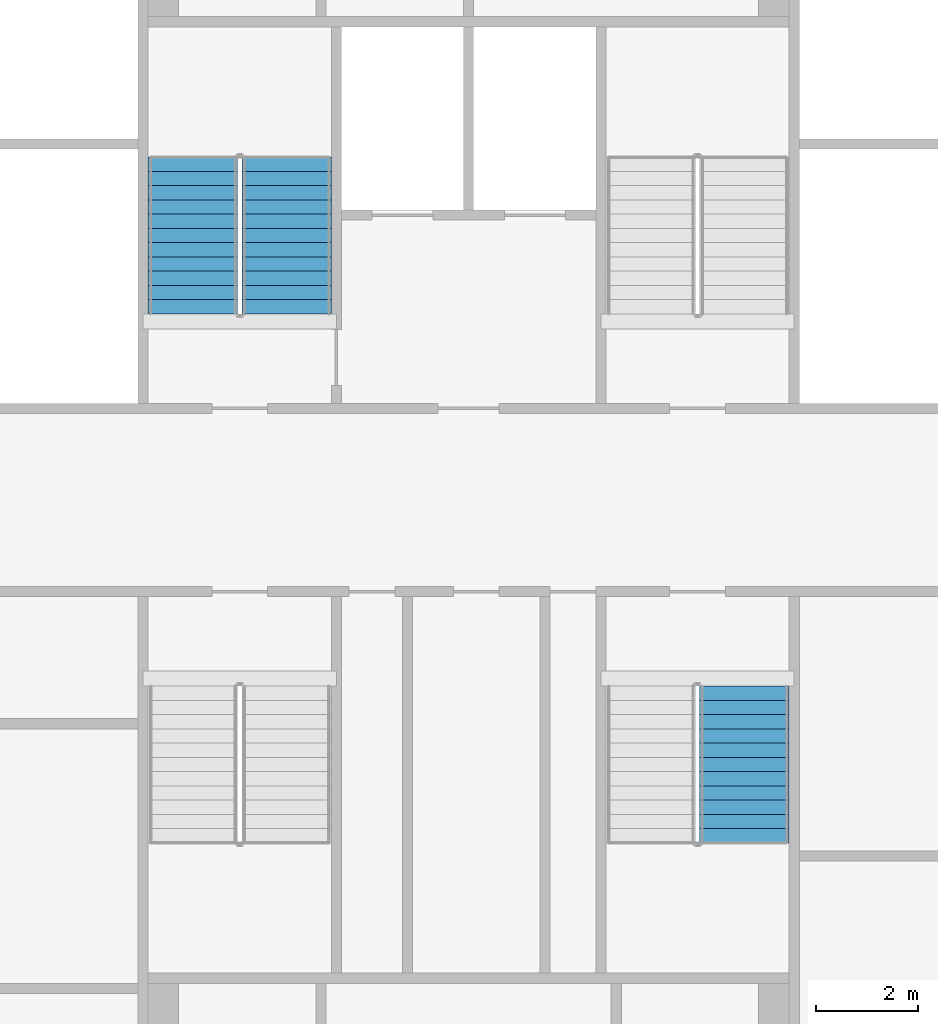
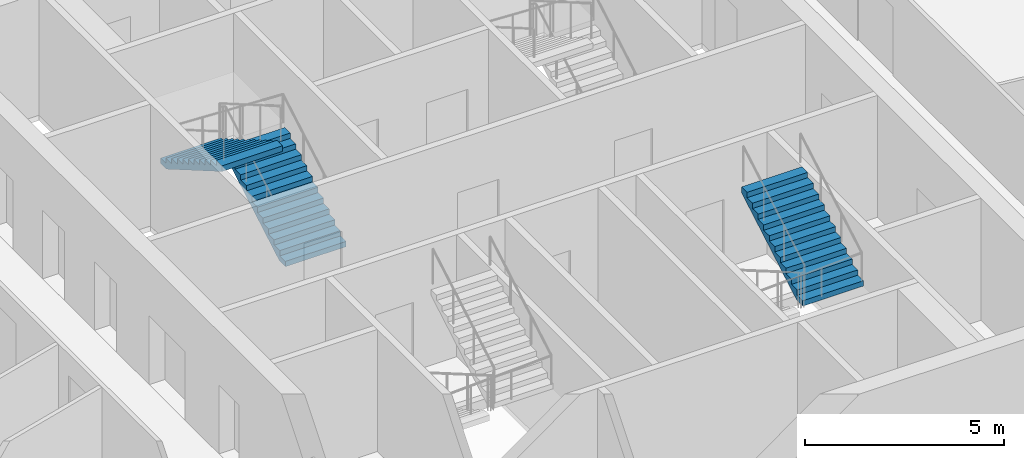
# One storey, part 15 of 21: 3 stair flights, 2 elements without a shape of their own.
"""IFC4 building model written with IfcOpenShell, lengths in metres."""

from ifc_helpers import new_model, si_unit, direction, frame, origin, place, context, subcontext, project, spatial, faceted_brep, material, type_object, element, aggregate, save


model = new_model("IFC4")

# Units and contexts
model_context = context("Model", 3, precision=1e-05, world=origin(), true_north=direction((0.0, 1.0)))
body_context = subcontext(model_context, "Body", "Model", "MODEL_VIEW")
ifc_project = project(units=[si_unit("LENGTHUNIT", "METRE"), si_unit("AREAUNIT", "SQUARE_METRE"), si_unit("VOLUMEUNIT", "CUBIC_METRE"), si_unit("PLANEANGLEUNIT", "RADIAN"), si_unit("MASSUNIT", "GRAM", prefix="KILO")], contexts=[model_context])

# Site, building, storey
site_placement = place(None, origin())
site = spatial("IfcSite", under=ifc_project, at=site_placement, CompositionType="ELEMENT")
building_placement = place(site_placement, origin())
building = spatial("IfcBuilding", under=site, at=building_placement, Name="Tarsis Ring Headquarters", CompositionType="ELEMENT")
storey_placement = place(building_placement, frame((0.0, 0.0, 347.0)))
storey = spatial("IfcBuildingStorey", under=building, at=storey_placement, Name="L82", CompositionType="ELEMENT", Elevation=347.0)

# Stair, stair flights
ifc_material_1 = material(Name="Core stair 1760")
stair_type = type_object("IfcStairType", Name="Core stair 1760", PredefinedType="HALF_TURN_STAIR", material=ifc_material_1)
stair_1_placement = place(storey_placement, origin())
stair_1 = element("IfcStair", 1, at=stair_1_placement, inside=storey, type_object=stair_type, Name="L82 Firefighting stair", PredefinedType="HALF_TURN_STAIR")
ifc_material_2 = material(Name="Concrete C40/50", Category="concrete")
stair_flight_type = type_object("IfcStairFlightType", Name="Core stair flight 1760", PredefinedType="STRAIGHT", material=ifc_material_2)
stair_flight_1_placement = place(storey_placement, frame((-3.580078125, 3.659912109375, 0.0), z_axis=(0.0, 0.0, 1.0), x_axis=(0.0, 1.0, 0.0)))
stair_flight_1 = element("IfcStairFlight", 2, at=stair_flight_1_placement, type_object=stair_flight_type, Name="Stair ST1 flight 1", NumberOfRisers=12, NumberOfTreads=11, PredefinedType="STRAIGHT", RiserHeight=0.1625, TreadLength=0.28, context=body_context, shape_type="Brep", body=[
    faceted_brep([(0.0, 0.8798828125, 0.0), (0.0, 0.8798828125, 0.16259765625), (0.280029296875, 0.8798828125, 0.16259765625), (0.280029296875, 0.8798828125, 0.324951171875), (0.56005859375, 0.8798828125, 0.324951171875), (0.56005859375, 0.8798828125, 0.487548828125), (0.840087890625, 0.8798828125, 0.487548828125), (0.840087890625, 0.8798828125, 0.64990234375), (1.1201171875, 0.8798828125, 0.64990234375), (1.1201171875, 0.8798828125, 0.8125), (1.39990234375, 0.8798828125, 0.8125), (1.39990234375, 0.8798828125, 0.97509765625), (1.679931640625, 0.8798828125, 0.97509765625), (1.679931640625, 0.8798828125, 1.137451171875), (1.9599609375, 0.8798828125, 1.137451171875), (1.9599609375, 0.8798828125, 1.300048828125), (2.239990234375, 0.8798828125, 1.300048828125), (2.239990234375, 0.8798828125, 1.46240234375), (2.52001953125, 0.8798828125, 1.46240234375), (2.52001953125, 0.8798828125, 1.625), (2.800048828125, 0.8798828125, 1.625), (2.800048828125, 0.8798828125, 1.78759765625), (3.080078125, 0.8798828125, 1.78759765625), (3.080078125, 0.8798828125, 1.6142578125), (0.298583984375, 0.8798828125, 0.0), (0.298583984375, -0.8798828125, 0.0), (3.080078125, -0.8798828125, 1.6142578125), (3.080078125, -0.8798828125, 1.78759765625), (2.800048828125, -0.8798828125, 1.78759765625), (2.800048828125, -0.8798828125, 1.625), (2.52001953125, -0.8798828125, 1.625), (2.52001953125, -0.8798828125, 1.46240234375), (2.239990234375, -0.8798828125, 1.46240234375), (2.239990234375, -0.8798828125, 1.300048828125), (1.9599609375, -0.8798828125, 1.300048828125), (1.9599609375, -0.8798828125, 1.137451171875), (1.679931640625, -0.8798828125, 1.137451171875), (1.679931640625, -0.8798828125, 0.97509765625), (1.39990234375, -0.8798828125, 0.97509765625), (1.39990234375, -0.8798828125, 0.8125), (1.1201171875, -0.8798828125, 0.8125), (1.1201171875, -0.8798828125, 0.64990234375), (0.840087890625, -0.8798828125, 0.64990234375), (0.840087890625, -0.8798828125, 0.487548828125), (0.56005859375, -0.8798828125, 0.487548828125), (0.56005859375, -0.8798828125, 0.324951171875), (0.280029296875, -0.8798828125, 0.324951171875), (0.280029296875, -0.8798828125, 0.16259765625), (0.0, -0.8798828125, 0.16259765625), (0.0, -0.8798828125, 0.0), (0.0, -0.43994140625, 0.16259765625), (0.0, -0.43994140625, 0.0), (0.0, 0.0, 0.16259765625), (0.0, 0.0, 0.0), (0.0, 0.43994140625, 0.16259765625), (0.0, 0.43994140625, 0.0), (0.280029296875, -0.43994140625, 0.16259765625), (0.280029296875, 0.0, 0.16259765625), (0.280029296875, 0.43994140625, 0.16259765625), (0.280029296875, -0.43994140625, 0.324951171875), (0.280029296875, 0.0, 0.324951171875), (0.280029296875, 0.43994140625, 0.324951171875), (0.56005859375, -0.43994140625, 0.324951171875), (0.56005859375, 0.0, 0.324951171875), (0.56005859375, 0.43994140625, 0.324951171875), (0.56005859375, -0.43994140625, 0.487548828125), (0.56005859375, 0.0, 0.487548828125), (0.56005859375, 0.43994140625, 0.487548828125), (0.840087890625, -0.43994140625, 0.487548828125), (0.840087890625, 0.0, 0.487548828125), (0.840087890625, 0.43994140625, 0.487548828125), (0.840087890625, -0.43994140625, 0.64990234375), (0.840087890625, 0.0, 0.64990234375), (0.840087890625, 0.43994140625, 0.64990234375), (1.1201171875, -0.43994140625, 0.64990234375), (1.1201171875, 0.0, 0.64990234375), (1.1201171875, 0.43994140625, 0.64990234375), (1.1201171875, -0.43994140625, 0.8125), (1.1201171875, 0.0, 0.8125), (1.1201171875, 0.43994140625, 0.8125), (1.39990234375, -0.43994140625, 0.8125), (1.39990234375, 0.0, 0.8125), (1.39990234375, 0.43994140625, 0.8125), (1.39990234375, -0.43994140625, 0.97509765625), (1.39990234375, 0.0, 0.97509765625), (1.39990234375, 0.43994140625, 0.97509765625), (1.679931640625, -0.43994140625, 0.97509765625), (1.679931640625, 0.0, 0.97509765625), (1.679931640625, 0.43994140625, 0.97509765625), (1.679931640625, -0.43994140625, 1.137451171875), (1.679931640625, 0.0, 1.137451171875), (1.679931640625, 0.43994140625, 1.137451171875), (1.9599609375, -0.43994140625, 1.137451171875), (1.9599609375, 0.0, 1.137451171875), (1.9599609375, 0.43994140625, 1.137451171875), (1.9599609375, -0.43994140625, 1.300048828125), (1.9599609375, 0.0, 1.300048828125), (1.9599609375, 0.43994140625, 1.300048828125), (2.239990234375, -0.43994140625, 1.300048828125), (2.239990234375, 0.0, 1.300048828125), (2.239990234375, 0.43994140625, 1.300048828125), (2.239990234375, -0.43994140625, 1.46240234375), (2.239990234375, 0.0, 1.46240234375), (2.239990234375, 0.43994140625, 1.46240234375), (2.52001953125, -0.43994140625, 1.46240234375), (2.52001953125, 0.0, 1.46240234375), (2.52001953125, 0.43994140625, 1.46240234375), (2.52001953125, -0.43994140625, 1.625), (2.52001953125, 0.0, 1.625), (2.52001953125, 0.43994140625, 1.625), (2.800048828125, -0.43994140625, 1.625), (2.800048828125, 0.0, 1.625), (2.800048828125, 0.43994140625, 1.625), (2.800048828125, -0.43994140625, 1.78759765625), (2.800048828125, 0.0, 1.78759765625), (2.800048828125, 0.43994140625, 1.78759765625), (3.080078125, -0.43994140625, 1.78759765625), (3.080078125, 0.0, 1.78759765625), (3.080078125, 0.43994140625, 1.78759765625), (3.080078125, -0.43994140625, 1.6142578125), (3.080078125, 0.0, 1.6142578125), (3.080078125, 0.43994140625, 1.6142578125), (0.298583984375, -0.43994140625, 0.0), (0.298583984375, 0.0, 0.0), (0.298583984375, 0.43994140625, 0.0)], [[[0, 1, 2, 3, 4, 5, 6, 7, 8, 9, 10, 11, 12, 13, 14, 15, 16, 17, 18, 19, 20, 21, 22, 23, 24]], [[25, 26, 27, 28, 29, 30, 31, 32, 33, 34, 35, 36, 37, 38, 39, 40, 41, 42, 43, 44, 45, 46, 47, 48, 49]], [[49, 48, 50, 51]], [[51, 50, 52, 53]], [[53, 52, 54, 55]], [[55, 54, 1, 0]], [[48, 47, 56, 50]], [[50, 56, 57, 52]], [[52, 57, 58, 54]], [[54, 58, 2, 1]], [[47, 46, 59, 56]], [[56, 59, 60, 57]], [[57, 60, 61, 58]], [[58, 61, 3, 2]], [[46, 45, 62, 59]], [[59, 62, 63, 60]], [[60, 63, 64, 61]], [[61, 64, 4, 3]], [[45, 44, 65, 62]], [[62, 65, 66, 63]], [[63, 66, 67, 64]], [[64, 67, 5, 4]], [[44, 43, 68, 65]], [[65, 68, 69, 66]], [[66, 69, 70, 67]], [[67, 70, 6, 5]], [[43, 42, 71, 68]], [[68, 71, 72, 69]], [[69, 72, 73, 70]], [[70, 73, 7, 6]], [[42, 41, 74, 71]], [[71, 74, 75, 72]], [[72, 75, 76, 73]], [[73, 76, 8, 7]], [[41, 40, 77, 74]], [[74, 77, 78, 75]], [[75, 78, 79, 76]], [[76, 79, 9, 8]], [[40, 39, 80, 77]], [[77, 80, 81, 78]], [[78, 81, 82, 79]], [[79, 82, 10, 9]], [[39, 38, 83, 80]], [[80, 83, 84, 81]], [[81, 84, 85, 82]], [[82, 85, 11, 10]], [[38, 37, 86, 83]], [[83, 86, 87, 84]], [[84, 87, 88, 85]], [[85, 88, 12, 11]], [[37, 36, 89, 86]], [[86, 89, 90, 87]], [[87, 90, 91, 88]], [[88, 91, 13, 12]], [[36, 35, 92, 89]], [[89, 92, 93, 90]], [[90, 93, 94, 91]], [[91, 94, 14, 13]], [[35, 34, 95, 92]], [[92, 95, 96, 93]], [[93, 96, 97, 94]], [[94, 97, 15, 14]], [[34, 33, 98, 95]], [[95, 98, 99, 96]], [[96, 99, 100, 97]], [[97, 100, 16, 15]], [[33, 32, 101, 98]], [[98, 101, 102, 99]], [[99, 102, 103, 100]], [[100, 103, 17, 16]], [[32, 31, 104, 101]], [[101, 104, 105, 102]], [[102, 105, 106, 103]], [[103, 106, 18, 17]], [[31, 30, 107, 104]], [[104, 107, 108, 105]], [[105, 108, 109, 106]], [[106, 109, 19, 18]], [[30, 29, 110, 107]], [[107, 110, 111, 108]], [[108, 111, 112, 109]], [[109, 112, 20, 19]], [[29, 28, 113, 110]], [[110, 113, 114, 111]], [[111, 114, 115, 112]], [[112, 115, 21, 20]], [[28, 27, 116, 113]], [[113, 116, 117, 114]], [[114, 117, 118, 115]], [[115, 118, 22, 21]], [[27, 26, 119, 116]], [[116, 119, 120, 117]], [[117, 120, 121, 118]], [[118, 121, 23, 22]], [[26, 25, 122, 119]], [[119, 122, 123, 120]], [[120, 123, 124, 121]], [[121, 124, 24, 23]], [[25, 49, 51, 122]], [[122, 51, 53, 123]], [[123, 53, 55, 124]], [[124, 55, 0, 24]]]),
])
stair_flight_2_placement = place(storey_placement, frame((-5.419921875, 6.739990234375, 1.949951171875), z_axis=(0.0, 0.0, 1.0), x_axis=(0.0, -1.0, 0.0)))
stair_flight_2 = element("IfcStairFlight", 3, at=stair_flight_2_placement, type_object=stair_flight_type, Name="Stair ST1 flight 2", NumberOfRisers=12, NumberOfTreads=11, PredefinedType="STRAIGHT", RiserHeight=0.1625, TreadLength=0.28, context=body_context, shape_type="Brep", body=[
    faceted_brep([(0.0, 0.8798828125, 0.0), (0.0, 0.8798828125, 0.16259765625), (0.280029296875, 0.8798828125, 0.16259765625), (0.280029296875, 0.8798828125, 0.324951171875), (0.56005859375, 0.8798828125, 0.324951171875), (0.56005859375, 0.8798828125, 0.487548828125), (0.840087890625, 0.8798828125, 0.487548828125), (0.840087890625, 0.8798828125, 0.64990234375), (1.1201171875, 0.8798828125, 0.64990234375), (1.1201171875, 0.8798828125, 0.8125), (1.39990234375, 0.8798828125, 0.8125), (1.39990234375, 0.8798828125, 0.97509765625), (1.679931640625, 0.8798828125, 0.97509765625), (1.679931640625, 0.8798828125, 1.137451171875), (1.9599609375, 0.8798828125, 1.137451171875), (1.9599609375, 0.8798828125, 1.300048828125), (2.239990234375, 0.8798828125, 1.300048828125), (2.239990234375, 0.8798828125, 1.46240234375), (2.52001953125, 0.8798828125, 1.46240234375), (2.52001953125, 0.8798828125, 1.625), (2.800048828125, 0.8798828125, 1.625), (2.800048828125, 0.8798828125, 1.78759765625), (3.080078125, 0.8798828125, 1.78759765625), (3.080078125, 0.8798828125, 1.6142578125), (0.298583984375, 0.8798828125, 0.0), (0.298583984375, -0.8798828125, 0.0), (3.080078125, -0.8798828125, 1.6142578125), (3.080078125, -0.8798828125, 1.78759765625), (2.800048828125, -0.8798828125, 1.78759765625), (2.800048828125, -0.8798828125, 1.625), (2.52001953125, -0.8798828125, 1.625), (2.52001953125, -0.8798828125, 1.46240234375), (2.239990234375, -0.8798828125, 1.46240234375), (2.239990234375, -0.8798828125, 1.300048828125), (1.9599609375, -0.8798828125, 1.300048828125), (1.9599609375, -0.8798828125, 1.137451171875), (1.679931640625, -0.8798828125, 1.137451171875), (1.679931640625, -0.8798828125, 0.97509765625), (1.39990234375, -0.8798828125, 0.97509765625), (1.39990234375, -0.8798828125, 0.8125), (1.1201171875, -0.8798828125, 0.8125), (1.1201171875, -0.8798828125, 0.64990234375), (0.840087890625, -0.8798828125, 0.64990234375), (0.840087890625, -0.8798828125, 0.487548828125), (0.56005859375, -0.8798828125, 0.487548828125), (0.56005859375, -0.8798828125, 0.324951171875), (0.280029296875, -0.8798828125, 0.324951171875), (0.280029296875, -0.8798828125, 0.16259765625), (0.0, -0.8798828125, 0.16259765625), (0.0, -0.8798828125, 0.0), (0.0, -0.43994140625, 0.16259765625), (0.0, -0.43994140625, 0.0), (0.0, 0.0, 0.16259765625), (0.0, 0.0, 0.0), (0.0, 0.43994140625, 0.16259765625), (0.0, 0.43994140625, 0.0), (0.280029296875, -0.43994140625, 0.16259765625), (0.280029296875, 0.0, 0.16259765625), (0.280029296875, 0.43994140625, 0.16259765625), (0.280029296875, -0.43994140625, 0.324951171875), (0.280029296875, 0.0, 0.324951171875), (0.280029296875, 0.43994140625, 0.324951171875), (0.56005859375, -0.43994140625, 0.324951171875), (0.56005859375, 0.0, 0.324951171875), (0.56005859375, 0.43994140625, 0.324951171875), (0.56005859375, -0.43994140625, 0.487548828125), (0.56005859375, 0.0, 0.487548828125), (0.56005859375, 0.43994140625, 0.487548828125), (0.840087890625, -0.43994140625, 0.487548828125), (0.840087890625, 0.0, 0.487548828125), (0.840087890625, 0.43994140625, 0.487548828125), (0.840087890625, -0.43994140625, 0.64990234375), (0.840087890625, 0.0, 0.64990234375), (0.840087890625, 0.43994140625, 0.64990234375), (1.1201171875, -0.43994140625, 0.64990234375), (1.1201171875, 0.0, 0.64990234375), (1.1201171875, 0.43994140625, 0.64990234375), (1.1201171875, -0.43994140625, 0.8125), (1.1201171875, 0.0, 0.8125), (1.1201171875, 0.43994140625, 0.8125), (1.39990234375, -0.43994140625, 0.8125), (1.39990234375, 0.0, 0.8125), (1.39990234375, 0.43994140625, 0.8125), (1.39990234375, -0.43994140625, 0.97509765625), (1.39990234375, 0.0, 0.97509765625), (1.39990234375, 0.43994140625, 0.97509765625), (1.679931640625, -0.43994140625, 0.97509765625), (1.679931640625, 0.0, 0.97509765625), (1.679931640625, 0.43994140625, 0.97509765625), (1.679931640625, -0.43994140625, 1.137451171875), (1.679931640625, 0.0, 1.137451171875), (1.679931640625, 0.43994140625, 1.137451171875), (1.9599609375, -0.43994140625, 1.137451171875), (1.9599609375, 0.0, 1.137451171875), (1.9599609375, 0.43994140625, 1.137451171875), (1.9599609375, -0.43994140625, 1.300048828125), (1.9599609375, 0.0, 1.300048828125), (1.9599609375, 0.43994140625, 1.300048828125), (2.239990234375, -0.43994140625, 1.300048828125), (2.239990234375, 0.0, 1.300048828125), (2.239990234375, 0.43994140625, 1.300048828125), (2.239990234375, -0.43994140625, 1.46240234375), (2.239990234375, 0.0, 1.46240234375), (2.239990234375, 0.43994140625, 1.46240234375), (2.52001953125, -0.43994140625, 1.46240234375), (2.52001953125, 0.0, 1.46240234375), (2.52001953125, 0.43994140625, 1.46240234375), (2.52001953125, -0.43994140625, 1.625), (2.52001953125, 0.0, 1.625), (2.52001953125, 0.43994140625, 1.625), (2.800048828125, -0.43994140625, 1.625), (2.800048828125, 0.0, 1.625), (2.800048828125, 0.43994140625, 1.625), (2.800048828125, -0.43994140625, 1.78759765625), (2.800048828125, 0.0, 1.78759765625), (2.800048828125, 0.43994140625, 1.78759765625), (3.080078125, -0.43994140625, 1.78759765625), (3.080078125, 0.0, 1.78759765625), (3.080078125, 0.43994140625, 1.78759765625), (3.080078125, -0.43994140625, 1.6142578125), (3.080078125, 0.0, 1.6142578125), (3.080078125, 0.43994140625, 1.6142578125), (0.298583984375, -0.43994140625, 0.0), (0.298583984375, 0.0, 0.0), (0.298583984375, 0.43994140625, 0.0)], [[[0, 1, 2, 3, 4, 5, 6, 7, 8, 9, 10, 11, 12, 13, 14, 15, 16, 17, 18, 19, 20, 21, 22, 23, 24]], [[25, 26, 27, 28, 29, 30, 31, 32, 33, 34, 35, 36, 37, 38, 39, 40, 41, 42, 43, 44, 45, 46, 47, 48, 49]], [[49, 48, 50, 51]], [[51, 50, 52, 53]], [[53, 52, 54, 55]], [[55, 54, 1, 0]], [[48, 47, 56, 50]], [[50, 56, 57, 52]], [[52, 57, 58, 54]], [[54, 58, 2, 1]], [[47, 46, 59, 56]], [[56, 59, 60, 57]], [[57, 60, 61, 58]], [[58, 61, 3, 2]], [[46, 45, 62, 59]], [[59, 62, 63, 60]], [[60, 63, 64, 61]], [[61, 64, 4, 3]], [[45, 44, 65, 62]], [[62, 65, 66, 63]], [[63, 66, 67, 64]], [[64, 67, 5, 4]], [[44, 43, 68, 65]], [[65, 68, 69, 66]], [[66, 69, 70, 67]], [[67, 70, 6, 5]], [[43, 42, 71, 68]], [[68, 71, 72, 69]], [[69, 72, 73, 70]], [[70, 73, 7, 6]], [[42, 41, 74, 71]], [[71, 74, 75, 72]], [[72, 75, 76, 73]], [[73, 76, 8, 7]], [[41, 40, 77, 74]], [[74, 77, 78, 75]], [[75, 78, 79, 76]], [[76, 79, 9, 8]], [[40, 39, 80, 77]], [[77, 80, 81, 78]], [[78, 81, 82, 79]], [[79, 82, 10, 9]], [[39, 38, 83, 80]], [[80, 83, 84, 81]], [[81, 84, 85, 82]], [[82, 85, 11, 10]], [[38, 37, 86, 83]], [[83, 86, 87, 84]], [[84, 87, 88, 85]], [[85, 88, 12, 11]], [[37, 36, 89, 86]], [[86, 89, 90, 87]], [[87, 90, 91, 88]], [[88, 91, 13, 12]], [[36, 35, 92, 89]], [[89, 92, 93, 90]], [[90, 93, 94, 91]], [[91, 94, 14, 13]], [[35, 34, 95, 92]], [[92, 95, 96, 93]], [[93, 96, 97, 94]], [[94, 97, 15, 14]], [[34, 33, 98, 95]], [[95, 98, 99, 96]], [[96, 99, 100, 97]], [[97, 100, 16, 15]], [[33, 32, 101, 98]], [[98, 101, 102, 99]], [[99, 102, 103, 100]], [[100, 103, 17, 16]], [[32, 31, 104, 101]], [[101, 104, 105, 102]], [[102, 105, 106, 103]], [[103, 106, 18, 17]], [[31, 30, 107, 104]], [[104, 107, 108, 105]], [[105, 108, 109, 106]], [[106, 109, 19, 18]], [[30, 29, 110, 107]], [[107, 110, 111, 108]], [[108, 111, 112, 109]], [[109, 112, 20, 19]], [[29, 28, 113, 110]], [[110, 113, 114, 111]], [[111, 114, 115, 112]], [[112, 115, 21, 20]], [[28, 27, 116, 113]], [[113, 116, 117, 114]], [[114, 117, 118, 115]], [[115, 118, 22, 21]], [[27, 26, 119, 116]], [[116, 119, 120, 117]], [[117, 120, 121, 118]], [[118, 121, 23, 22]], [[26, 25, 122, 119]], [[119, 122, 123, 120]], [[120, 123, 124, 121]], [[121, 124, 24, 23]], [[25, 49, 51, 122]], [[122, 51, 53, 123]], [[123, 53, 55, 124]], [[124, 55, 0, 24]]]),
])
aggregate(stair_1, [stair_flight_1, stair_flight_2])

# Stair, stair flight
stair_2_placement = place(storey_placement, origin())
stair_2 = element("IfcStair", 4, at=stair_2_placement, inside=storey, type_object=stair_type, Name="L82 Exit stair D", PredefinedType="HALF_TURN_STAIR")
stair_flight_3_placement = place(storey_placement, frame((5.419921875, -6.739990234375, 1.949951171875), z_axis=(0.0, 0.0, 1.0), x_axis=(0.0, 1.0, 0.0)))
stair_flight_3 = element("IfcStairFlight", 5, at=stair_flight_3_placement, type_object=stair_flight_type, Name="Stair ST4 flight 2", NumberOfRisers=12, NumberOfTreads=11, PredefinedType="STRAIGHT", RiserHeight=0.1625, TreadLength=0.28, context=body_context, shape_type="Brep", body=[
    faceted_brep([(0.0, 0.8798828125, 0.0), (0.0, 0.8798828125, 0.16259765625), (0.280029296875, 0.8798828125, 0.16259765625), (0.280029296875, 0.8798828125, 0.324951171875), (0.56005859375, 0.8798828125, 0.324951171875), (0.56005859375, 0.8798828125, 0.487548828125), (0.840087890625, 0.8798828125, 0.487548828125), (0.840087890625, 0.8798828125, 0.64990234375), (1.1201171875, 0.8798828125, 0.64990234375), (1.1201171875, 0.8798828125, 0.8125), (1.39990234375, 0.8798828125, 0.8125), (1.39990234375, 0.8798828125, 0.97509765625), (1.679931640625, 0.8798828125, 0.97509765625), (1.679931640625, 0.8798828125, 1.137451171875), (1.9599609375, 0.8798828125, 1.137451171875), (1.9599609375, 0.8798828125, 1.300048828125), (2.239990234375, 0.8798828125, 1.300048828125), (2.239990234375, 0.8798828125, 1.46240234375), (2.52001953125, 0.8798828125, 1.46240234375), (2.52001953125, 0.8798828125, 1.625), (2.800048828125, 0.8798828125, 1.625), (2.800048828125, 0.8798828125, 1.78759765625), (3.080078125, 0.8798828125, 1.78759765625), (3.080078125, 0.8798828125, 1.6142578125), (0.298583984375, 0.8798828125, 0.0), (0.298583984375, -0.8798828125, 0.0), (3.080078125, -0.8798828125, 1.6142578125), (3.080078125, -0.8798828125, 1.78759765625), (2.800048828125, -0.8798828125, 1.78759765625), (2.800048828125, -0.8798828125, 1.625), (2.52001953125, -0.8798828125, 1.625), (2.52001953125, -0.8798828125, 1.46240234375), (2.239990234375, -0.8798828125, 1.46240234375), (2.239990234375, -0.8798828125, 1.300048828125), (1.9599609375, -0.8798828125, 1.300048828125), (1.9599609375, -0.8798828125, 1.137451171875), (1.679931640625, -0.8798828125, 1.137451171875), (1.679931640625, -0.8798828125, 0.97509765625), (1.39990234375, -0.8798828125, 0.97509765625), (1.39990234375, -0.8798828125, 0.8125), (1.1201171875, -0.8798828125, 0.8125), (1.1201171875, -0.8798828125, 0.64990234375), (0.840087890625, -0.8798828125, 0.64990234375), (0.840087890625, -0.8798828125, 0.487548828125), (0.56005859375, -0.8798828125, 0.487548828125), (0.56005859375, -0.8798828125, 0.324951171875), (0.280029296875, -0.8798828125, 0.324951171875), (0.280029296875, -0.8798828125, 0.16259765625), (0.0, -0.8798828125, 0.16259765625), (0.0, -0.8798828125, 0.0), (0.0, -0.43994140625, 0.16259765625), (0.0, -0.43994140625, 0.0), (0.0, 0.0, 0.16259765625), (0.0, 0.0, 0.0), (0.0, 0.43994140625, 0.16259765625), (0.0, 0.43994140625, 0.0), (0.280029296875, -0.43994140625, 0.16259765625), (0.280029296875, 0.0, 0.16259765625), (0.280029296875, 0.43994140625, 0.16259765625), (0.280029296875, -0.43994140625, 0.324951171875), (0.280029296875, 0.0, 0.324951171875), (0.280029296875, 0.43994140625, 0.324951171875), (0.56005859375, -0.43994140625, 0.324951171875), (0.56005859375, 0.0, 0.324951171875), (0.56005859375, 0.43994140625, 0.324951171875), (0.56005859375, -0.43994140625, 0.487548828125), (0.56005859375, 0.0, 0.487548828125), (0.56005859375, 0.43994140625, 0.487548828125), (0.840087890625, -0.43994140625, 0.487548828125), (0.840087890625, 0.0, 0.487548828125), (0.840087890625, 0.43994140625, 0.487548828125), (0.840087890625, -0.43994140625, 0.64990234375), (0.840087890625, 0.0, 0.64990234375), (0.840087890625, 0.43994140625, 0.64990234375), (1.1201171875, -0.43994140625, 0.64990234375), (1.1201171875, 0.0, 0.64990234375), (1.1201171875, 0.43994140625, 0.64990234375), (1.1201171875, -0.43994140625, 0.8125), (1.1201171875, 0.0, 0.8125), (1.1201171875, 0.43994140625, 0.8125), (1.39990234375, -0.43994140625, 0.8125), (1.39990234375, 0.0, 0.8125), (1.39990234375, 0.43994140625, 0.8125), (1.39990234375, -0.43994140625, 0.97509765625), (1.39990234375, 0.0, 0.97509765625), (1.39990234375, 0.43994140625, 0.97509765625), (1.679931640625, -0.43994140625, 0.97509765625), (1.679931640625, 0.0, 0.97509765625), (1.679931640625, 0.43994140625, 0.97509765625), (1.679931640625, -0.43994140625, 1.137451171875), (1.679931640625, 0.0, 1.137451171875), (1.679931640625, 0.43994140625, 1.137451171875), (1.9599609375, -0.43994140625, 1.137451171875), (1.9599609375, 0.0, 1.137451171875), (1.9599609375, 0.43994140625, 1.137451171875), (1.9599609375, -0.43994140625, 1.300048828125), (1.9599609375, 0.0, 1.300048828125), (1.9599609375, 0.43994140625, 1.300048828125), (2.239990234375, -0.43994140625, 1.300048828125), (2.239990234375, 0.0, 1.300048828125), (2.239990234375, 0.43994140625, 1.300048828125), (2.239990234375, -0.43994140625, 1.46240234375), (2.239990234375, 0.0, 1.46240234375), (2.239990234375, 0.43994140625, 1.46240234375), (2.52001953125, -0.43994140625, 1.46240234375), (2.52001953125, 0.0, 1.46240234375), (2.52001953125, 0.43994140625, 1.46240234375), (2.52001953125, -0.43994140625, 1.625), (2.52001953125, 0.0, 1.625), (2.52001953125, 0.43994140625, 1.625), (2.800048828125, -0.43994140625, 1.625), (2.800048828125, 0.0, 1.625), (2.800048828125, 0.43994140625, 1.625), (2.800048828125, -0.43994140625, 1.78759765625), (2.800048828125, 0.0, 1.78759765625), (2.800048828125, 0.43994140625, 1.78759765625), (3.080078125, -0.43994140625, 1.78759765625), (3.080078125, 0.0, 1.78759765625), (3.080078125, 0.43994140625, 1.78759765625), (3.080078125, -0.43994140625, 1.6142578125), (3.080078125, 0.0, 1.6142578125), (3.080078125, 0.43994140625, 1.6142578125), (0.298583984375, -0.43994140625, 0.0), (0.298583984375, 0.0, 0.0), (0.298583984375, 0.43994140625, 0.0)], [[[0, 1, 2, 3, 4, 5, 6, 7, 8, 9, 10, 11, 12, 13, 14, 15, 16, 17, 18, 19, 20, 21, 22, 23, 24]], [[25, 26, 27, 28, 29, 30, 31, 32, 33, 34, 35, 36, 37, 38, 39, 40, 41, 42, 43, 44, 45, 46, 47, 48, 49]], [[49, 48, 50, 51]], [[51, 50, 52, 53]], [[53, 52, 54, 55]], [[55, 54, 1, 0]], [[48, 47, 56, 50]], [[50, 56, 57, 52]], [[52, 57, 58, 54]], [[54, 58, 2, 1]], [[47, 46, 59, 56]], [[56, 59, 60, 57]], [[57, 60, 61, 58]], [[58, 61, 3, 2]], [[46, 45, 62, 59]], [[59, 62, 63, 60]], [[60, 63, 64, 61]], [[61, 64, 4, 3]], [[45, 44, 65, 62]], [[62, 65, 66, 63]], [[63, 66, 67, 64]], [[64, 67, 5, 4]], [[44, 43, 68, 65]], [[65, 68, 69, 66]], [[66, 69, 70, 67]], [[67, 70, 6, 5]], [[43, 42, 71, 68]], [[68, 71, 72, 69]], [[69, 72, 73, 70]], [[70, 73, 7, 6]], [[42, 41, 74, 71]], [[71, 74, 75, 72]], [[72, 75, 76, 73]], [[73, 76, 8, 7]], [[41, 40, 77, 74]], [[74, 77, 78, 75]], [[75, 78, 79, 76]], [[76, 79, 9, 8]], [[40, 39, 80, 77]], [[77, 80, 81, 78]], [[78, 81, 82, 79]], [[79, 82, 10, 9]], [[39, 38, 83, 80]], [[80, 83, 84, 81]], [[81, 84, 85, 82]], [[82, 85, 11, 10]], [[38, 37, 86, 83]], [[83, 86, 87, 84]], [[84, 87, 88, 85]], [[85, 88, 12, 11]], [[37, 36, 89, 86]], [[86, 89, 90, 87]], [[87, 90, 91, 88]], [[88, 91, 13, 12]], [[36, 35, 92, 89]], [[89, 92, 93, 90]], [[90, 93, 94, 91]], [[91, 94, 14, 13]], [[35, 34, 95, 92]], [[92, 95, 96, 93]], [[93, 96, 97, 94]], [[94, 97, 15, 14]], [[34, 33, 98, 95]], [[95, 98, 99, 96]], [[96, 99, 100, 97]], [[97, 100, 16, 15]], [[33, 32, 101, 98]], [[98, 101, 102, 99]], [[99, 102, 103, 100]], [[100, 103, 17, 16]], [[32, 31, 104, 101]], [[101, 104, 105, 102]], [[102, 105, 106, 103]], [[103, 106, 18, 17]], [[31, 30, 107, 104]], [[104, 107, 108, 105]], [[105, 108, 109, 106]], [[106, 109, 19, 18]], [[30, 29, 110, 107]], [[107, 110, 111, 108]], [[108, 111, 112, 109]], [[109, 112, 20, 19]], [[29, 28, 113, 110]], [[110, 113, 114, 111]], [[111, 114, 115, 112]], [[112, 115, 21, 20]], [[28, 27, 116, 113]], [[113, 116, 117, 114]], [[114, 117, 118, 115]], [[115, 118, 22, 21]], [[27, 26, 119, 116]], [[116, 119, 120, 117]], [[117, 120, 121, 118]], [[118, 121, 23, 22]], [[26, 25, 122, 119]], [[119, 122, 123, 120]], [[120, 123, 124, 121]], [[121, 124, 24, 23]], [[25, 49, 51, 122]], [[122, 51, 53, 123]], [[123, 53, 55, 124]], [[124, 55, 0, 24]]]),
])
aggregate(stair_2, [stair_flight_3])

save(model, "model.ifc")
